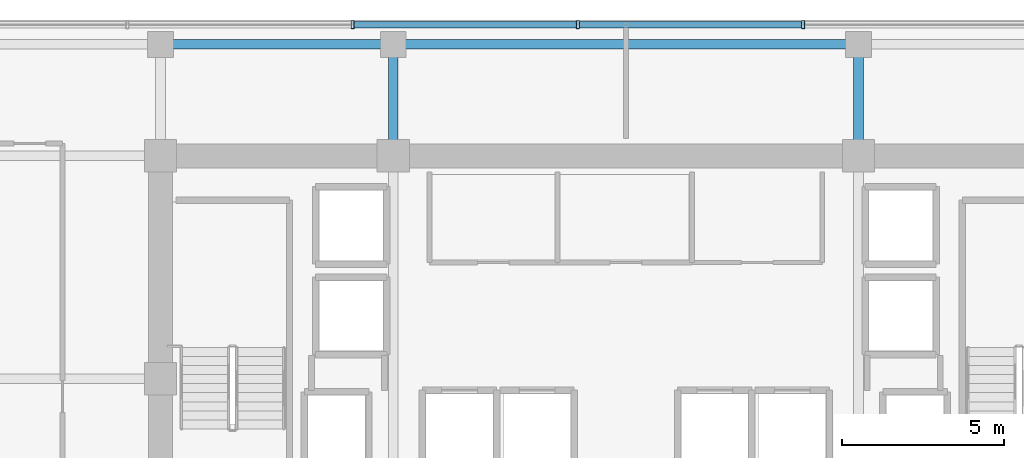
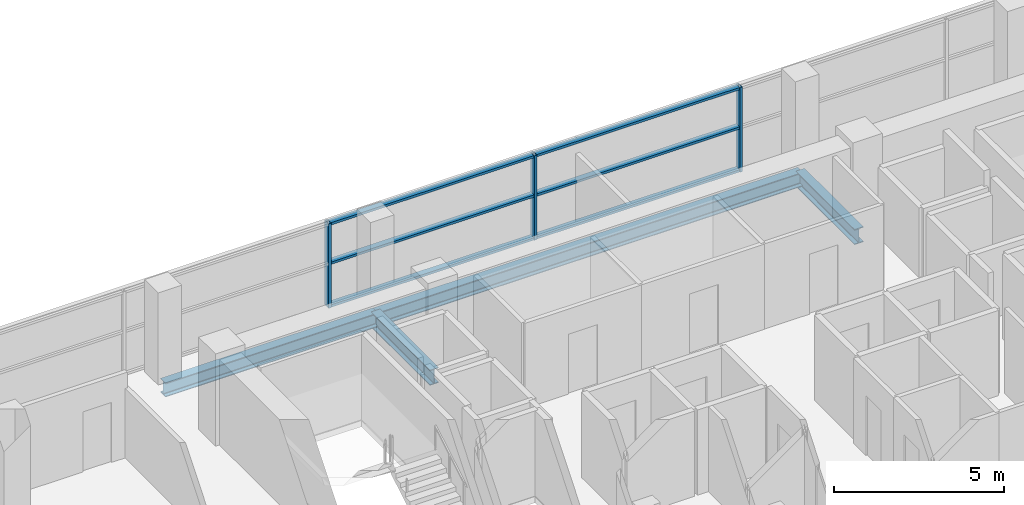
# One storey, part 11 of 22: 9 members, 4 beams, 1 element without a shape of its own.
"""IFC4 building model written with IfcOpenShell, lengths in metres."""

import ifcopenshell
import ifcopenshell.guid

model = None  # the IFC model being written
_history = None  # IfcOwnerHistory: only IFC2X3 demands one
_inside = {}  # id of a spatial element -> (the spatial element, [elements in it])
_under = {}  # id of a project, library or spatial element -> (it, [spatial elements below it])
_declared = {}  # id of a project -> (the project, [libraries it declares])
_typed = {}  # id of a type object -> (the type object, [elements of that type])
_made_of = {}  # id of a material, layer set ... -> (it, [elements and type objects made of it])


def new_model(schema):
    """Start an empty IFC model of exactly this schema.

    Asked for "IFC4X3", IfcOpenShell would pick the latest addendum, in which some entities
    have other attributes; the version numbers below select the first issue.
    IFC2X3 requires an IfcOwnerHistory on every rooted entity: one is made here for all.
    """
    global model, _history
    if schema == "IFC4X3":
        model = ifcopenshell.file(schema_version=(4, 3, 0, 0))
    else:
        model = ifcopenshell.file(schema=schema)
    _inside.clear()
    _under.clear()
    _declared.clear()
    _typed.clear()
    _made_of.clear()
    _history = None
    if model.schema == "IFC2X3":
        org = make("IfcOrganization", Name="unknown")
        user = make(
            "IfcPersonAndOrganization",
            ThePerson=make("IfcPerson", FamilyName="unknown"),
            TheOrganization=org,
        )
        app = make(
            "IfcApplication",
            ApplicationDeveloper=org,
            Version="unknown",
            ApplicationFullName="unknown",
            ApplicationIdentifier="unknown",
        )
        _history = make(
            "IfcOwnerHistory",
            OwningUser=user,
            OwningApplication=app,
            ChangeAction="ADDED",
            CreationDate=0,
        )
    return model


def make(cls, **values):
    """One entity of the class cls with the attributes given. An attribute that is None is left unset."""
    return model.create_entity(
        cls, **{name: value for name, value in values.items() if value is not None}
    )


def rooted(cls, **values):
    """An entity with a GlobalId (a new one), such as an element, a storey or a relation."""
    return make(cls, GlobalId=ifcopenshell.guid.new(), OwnerHistory=_history, **values)


def si_unit(unit_type, name, prefix=None):
    """IfcSIUnit, for example si_unit("LENGTHUNIT", "METRE", prefix="MILLI")."""
    return make("IfcSIUnit", UnitType=unit_type, Prefix=prefix, Name=name)


def assignment(units):
    """IfcUnitAssignment: the units of a project."""
    return None if units is None else make("IfcUnitAssignment", Units=units)


def point(xyz):
    """IfcCartesianPoint."""
    return None if xyz is None else make("IfcCartesianPoint", Coordinates=xyz)


def direction(xyz):
    """IfcDirection."""
    return None if xyz is None else make("IfcDirection", DirectionRatios=xyz)


def frame(location, z_axis=None, x_axis=None):
    """IfcAxis2Placement3D, a coordinate frame: its origin and axes. An axis left out is left unset."""
    return make(
        "IfcAxis2Placement3D",
        Location=point(location),
        Axis=direction(z_axis),
        RefDirection=direction(x_axis),
    )


def frame_2d(location, x_axis=None):
    """IfcAxis2Placement2D, a coordinate frame in the plane: its origin and x axis."""
    return make(
        "IfcAxis2Placement2D", Location=point(location), RefDirection=direction(x_axis)
    )


def origin():
    """The frame at (0, 0, 0) with its axes left unset."""
    return frame((0.0, 0.0, 0.0))


def origin_2d():
    """The frame at (0, 0) in the plane with its x axis left unset."""
    return frame_2d((0.0, 0.0))


def place(relative_to, where):
    """IfcLocalPlacement: puts the frame where relative to a parent placement (None: the world)."""
    return make(
        "IfcLocalPlacement", PlacementRelTo=relative_to, RelativePlacement=where
    )


def context(
    kind, dimensions, precision=None, world=None, true_north=None, identifier=None
):
    """IfcGeometricRepresentationContext, for example the 3D "Model" context."""
    return make(
        "IfcGeometricRepresentationContext",
        ContextIdentifier=identifier,
        ContextType=kind,
        CoordinateSpaceDimension=dimensions,
        Precision=precision,
        WorldCoordinateSystem=world,
        TrueNorth=true_north,
    )


def subcontext(parent, identifier, kind, view, scale=None):
    """IfcGeometricRepresentationSubContext, for example "Body" below "Model"."""
    return make(
        "IfcGeometricRepresentationSubContext",
        ContextIdentifier=identifier,
        ContextType=kind,
        ParentContext=parent,
        TargetScale=scale,
        TargetView=view,
    )


def project(units=None, contexts=None):
    """IfcProject with its units and contexts."""
    return rooted(
        "IfcProject",
        Name="project",
        RepresentationContexts=contexts,
        UnitsInContext=assignment(units),
    )


def spatial(cls, under=None, at=None, **own):
    """A site, building, storey or space (cls), placed at a placement, below another one or the project."""
    s = rooted(cls, ObjectPlacement=at, **own)
    if under is not None:
        _under.setdefault(under.id(), (under, []))[1].append(s)
    return s


def profile(cls, at=None, kind="AREA", **sizes):
    """A parametric profile (cls). Its sizes go by their IFC names, for example OverallWidth=200.0."""
    return make(cls, ProfileType=kind, Position=at, **sizes)


def hollow_rectangle(**sizes):
    """IfcRectangleHollowProfileDef."""
    return profile("IfcRectangleHollowProfileDef", **sizes)


def i_section(**sizes):
    """IfcIShapeProfileDef."""
    return profile("IfcIShapeProfileDef", **sizes)


def extrude(swept, where, along, depth):
    """IfcExtrudedAreaSolid: the profile swept, set in the frame where, extruded along a direction by depth."""
    return make(
        "IfcExtrudedAreaSolid",
        SweptArea=swept,
        Position=where,
        ExtrudedDirection=direction(along),
        Depth=depth,
    )


def shape(context_of_items, identifier, shape_type, items):
    """IfcShapeRepresentation: the items that make up one representation, for example the "Body"."""
    return make(
        "IfcShapeRepresentation",
        ContextOfItems=context_of_items,
        RepresentationIdentifier=identifier,
        RepresentationType=shape_type,
        Items=items,
    )


def source(mapping_origin, context_of_items, identifier, shape_type, items):
    """IfcRepresentationMap: a shape defined once, which mapped items show again and again."""
    return make(
        "IfcRepresentationMap",
        MappingOrigin=mapping_origin,
        MappedRepresentation=shape(context_of_items, identifier, shape_type, items),
    )


def transform(
    local_origin,
    x_axis=None,
    y_axis=None,
    z_axis=None,
    scale=None,
    scale2=None,
    scale3=None,
    uniform=True,
):
    """IfcCartesianTransformationOperator3D, or its non-uniform kind. x_axis, y_axis, z_axis: its Axis1, 2, 3."""
    if uniform:
        return make(
            "IfcCartesianTransformationOperator3D",
            Axis1=direction(x_axis),
            Axis2=direction(y_axis),
            LocalOrigin=point(local_origin),
            Scale=scale,
            Axis3=direction(z_axis),
        )
    return make(
        "IfcCartesianTransformationOperator3DnonUniform",
        Axis1=direction(x_axis),
        Axis2=direction(y_axis),
        LocalOrigin=point(local_origin),
        Scale=scale,
        Axis3=direction(z_axis),
        Scale2=scale2,
        Scale3=scale3,
    )


def mapped(mapping_source, mapping_target):
    """IfcMappedItem: shows the shape of a source again, moved by a transform."""
    return make(
        "IfcMappedItem", MappingSource=mapping_source, MappingTarget=mapping_target
    )


def material(Name=None, Category=None):
    """IfcMaterial."""
    return make("IfcMaterial", Name=Name, Category=Category)


def layer(
    of_material, thickness, ventilated=None, Name=None, Category=None, Priority=None
):
    """IfcMaterialLayer: one layer of a wall or slab, of a material (None: an air gap)."""
    return make(
        "IfcMaterialLayer",
        Material=of_material,
        LayerThickness=thickness,
        IsVentilated=ventilated,
        Name=Name,
        Category=Category,
        Priority=Priority,
    )


def layer_set(layers, Name=None):
    """IfcMaterialLayerSet."""
    return make("IfcMaterialLayerSet", MaterialLayers=layers, LayerSetName=Name)


def material_profile(
    of_material, cross_section, Name=None, Category=None, Priority=None
):
    """IfcMaterialProfile: a cross section and its material."""
    return make(
        "IfcMaterialProfile",
        Name=Name,
        Material=of_material,
        Profile=cross_section,
        Priority=Priority,
        Category=Category,
    )


def profile_set(profiles, Name=None, composite=None):
    """IfcMaterialProfileSet."""
    return make(
        "IfcMaterialProfileSet",
        Name=Name,
        MaterialProfiles=profiles,
        CompositeProfile=composite,
    )


def made_of(thing, what):
    """Note that an element or type object is made of a material, layer set ...; save() writes the relation."""
    if what is not None:
        _made_of.setdefault(what.id(), (what, []))[1].append(thing)
    return thing


def type_object(cls, material=None, **own):
    """A type object (cls), such as IfcWallType, which elements share."""
    return made_of(rooted(cls, **own), material)


def element(
    cls,
    number,
    at=None,
    inside=None,
    cuts=None,
    type_object=None,
    material=None,
    context=None,
    identifier="Body",
    shape_type=None,
    held_by="IfcProductDefinitionShape",
    body=None,
    shapes=None,
    **own,
):
    """One element of the class cls, such as IfcWall. Its Tag is "e" and its number.

    at: its placement. inside: the storey or other place that contains it. cuts: it is an
    opening in that element (IfcRelVoidsElement). A single representation is given by context,
    identifier, shape_type and body (its items); several are given by shapes. held_by: the class
    of the entity that holds the representations. save() writes the other relations.
    """
    e = rooted(cls, Tag="e%d" % number, ObjectPlacement=at, **own)
    if body is not None:
        shapes = [shape(context, identifier, shape_type, body)]
    if shapes is not None:
        e.Representation = make(held_by, Representations=shapes)
    if inside is not None:
        _inside.setdefault(inside.id(), (inside, []))[1].append(e)
    if cuts is not None:
        rooted(
            "IfcRelVoidsElement", RelatingBuildingElement=cuts, RelatedOpeningElement=e
        )
    if type_object is not None:
        _typed.setdefault(type_object.id(), (type_object, []))[1].append(e)
    return made_of(e, material)


def aggregate(whole, parts):
    """IfcRelAggregates: a whole, such as a stair, and the parts it consists of."""
    return rooted("IfcRelAggregates", RelatingObject=whole, RelatedObjects=parts)


def save(model, path):
    """Write the relations noted so far, then the file.

    IfcRelAggregates (storeys below a building ...), IfcRelContainedInSpatialStructure (elements
    in a storey), IfcRelDefinesByType, IfcRelAssociatesMaterial and IfcRelDeclares: one each for
    every whole, place, type object, material and project.
    """
    for whole, parts in _under.values():
        aggregate(whole, parts)
    for where, things in _inside.values():
        rooted(
            "IfcRelContainedInSpatialStructure",
            RelatedElements=things,
            RelatingStructure=where,
        )
    for kind, things in _typed.values():
        rooted("IfcRelDefinesByType", RelatedObjects=things, RelatingType=kind)
    for what, things in _made_of.values():
        rooted("IfcRelAssociatesMaterial", RelatedObjects=things, RelatingMaterial=what)
    for by, libraries in _declared.values():
        rooted("IfcRelDeclares", RelatingContext=by, RelatedDefinitions=libraries)
    model.write(path)


model = new_model("IFC4")

# Units and contexts
model_context = context("Model", 3, precision=1e-05, world=origin(), true_north=direction((0.0, 1.0)))
body_context = subcontext(model_context, "Body", "Model", "MODEL_VIEW")
ifc_project = project(units=[si_unit("LENGTHUNIT", "METRE"), si_unit("AREAUNIT", "SQUARE_METRE"), si_unit("VOLUMEUNIT", "CUBIC_METRE"), si_unit("PLANEANGLEUNIT", "RADIAN"), si_unit("MASSUNIT", "GRAM", prefix="KILO")], contexts=[model_context])

# Site, building, storey
site_placement = place(None, origin())
site = spatial("IfcSite", under=ifc_project, at=site_placement, CompositionType="ELEMENT")
building_placement = place(site_placement, origin())
building = spatial("IfcBuilding", under=site, at=building_placement, Name="Zarnakvel Exchange Tower", CompositionType="ELEMENT")
storey_placement = place(building_placement, frame((0.0, 0.0, 136.300048828125)))
storey = spatial("IfcBuildingStorey", under=building, at=storey_placement, Name="L38", CompositionType="ELEMENT", Elevation=136.300048828125)

# Beams
ifc_material_1 = material(Name="Steel S355", Category="steel")
ifc_material_profile_1 = material_profile(ifc_material_1, i_section(OverallWidth=0.300048828125, OverallDepth=0.550048828125, WebThickness=0.014892578125, FlangeThickness=0.029052734375, FilletRadius=0.027099609375, at=origin_2d()))
ifc_profile_set_1 = profile_set([ifc_material_profile_1], Name="Steel S355")
beam_type_1 = type_object("IfcBeamType", Name="G-05", PredefinedType="BEAM", material=ifc_profile_set_1)
for number, where, z_axis, x_axis, name in (
    (1, (-7.199951171875, 13.5, -0.5), (0.0, 1.0, 0.0), (-1.0, 0.0, 0.0), "L38 Tower N-S Frame Beam"),
    (2, (7.199951171875, 13.5, -0.5), (0.0, 1.0, 0.0), (-1.0, 0.0, 0.0), "L38 Tower N-S Frame Beam"),
):
    element("IfcBeam", number, at=place(storey_placement, frame(where, z_axis=z_axis, x_axis=x_axis)), inside=storey, type_object=beam_type_1, Name=name, PredefinedType="BEAM", context=body_context, shape_type="SweptSolid", body=[
        extrude(i_section(OverallWidth=0.300048828125, OverallDepth=0.550048828125, WebThickness=0.014892578125, FlangeThickness=0.029052734375, FilletRadius=0.027099609375, at=origin_2d()), origin(), (0.0, 0.0, 1.0), 3.449951171875),
    ])
ifc_material_profile_2 = material_profile(ifc_material_1, i_section(OverallWidth=0.300048828125, OverallDepth=0.5, WebThickness=0.014404296875, FlangeThickness=0.028076171875, FilletRadius=0.027099609375, at=origin_2d()))
ifc_profile_set_2 = profile_set([ifc_material_profile_2], Name="Steel S355")
beam_type_2 = type_object("IfcBeamType", Name="SP-02", PredefinedType="SPANDREL", material=ifc_profile_set_2)
beam_1_placement = place(storey_placement, frame((-14.39990234375, 16.949951171875, -0.47509765625), z_axis=(1.0, 0.0, 0.0), x_axis=(0.0, 1.0, 0.0)))
element("IfcBeam", 3, at=beam_1_placement, inside=storey, type_object=beam_type_2, Name="L38 Tower E-W Frame Beam", PredefinedType="SPANDREL", context=body_context, shape_type="SweptSolid", body=[
    extrude(i_section(OverallWidth=0.300048828125, OverallDepth=0.5, WebThickness=0.014404296875, FlangeThickness=0.028076171875, FilletRadius=0.027099609375, at=origin_2d()), origin(), (0.0, 0.0, 1.0), 7.199951171875),
])
beam_2_placement = place(storey_placement, frame((-7.199951171875, 16.949951171875, -0.47509765625), z_axis=(1.0, 0.0, 0.0), x_axis=(0.0, 1.0, 0.0)))
element("IfcBeam", 4, at=beam_2_placement, inside=storey, type_object=beam_type_2, Name="L38 Tower E-W Frame Beam", PredefinedType="SPANDREL", context=body_context, shape_type="SweptSolid", body=[
    extrude(i_section(OverallWidth=0.300048828125, OverallDepth=0.5, WebThickness=0.014404296875, FlangeThickness=0.028076171875, FilletRadius=0.027099609375, at=origin_2d()), origin(), (0.0, 0.0, 1.0), 14.39990234375),
])

# Curtain wall, members
ifc_material_2 = material(Name="Architectural Bronze Anodised Aluminium", Category="aluminium")
ifc_layer = layer(ifc_material_2, 0.239990234375)
ifc_layer_set = layer_set([ifc_layer], Name="Architectural Bronze Anodised Aluminium")
curtain_wall_type = type_object("IfcCurtainWallType", Name="CW-02", PredefinedType="NOTDEFINED", material=ifc_layer_set)
curtain_wall_placement = place(storey_placement, origin())
curtain_wall = element("IfcCurtainWall", 5, at=curtain_wall_placement, inside=storey, type_object=curtain_wall_type, Name="L38 Curtain Wall CW-L38-N1 (CW-02)", PredefinedType="NOTDEFINED")
ifc_material_profile_3 = material_profile(ifc_material_2, hollow_rectangle(XDim=0.239990234375, YDim=0.090087890625, WallThickness=0.006103515625, at=origin_2d()))
ifc_profile_set_3 = profile_set([ifc_material_profile_3], Name="Architectural Bronze Anodised Aluminium")
member_type_1 = type_object("IfcMemberType", Name="CWM-02", PredefinedType="MULLION", material=ifc_profile_set_3)
shared_shape_1 = source(origin(), body_context, "Body", "SweptSolid", [
    extrude(hollow_rectangle(XDim=0.239990234375, YDim=0.090087890625, WallThickness=0.006103515625, at=origin_2d()), origin(), (0.0, 0.0, 1.0), 3.030029296875),
])
member_1_placement = place(storey_placement, frame((-8.45703125, 17.56005859375, 0.0), z_axis=(0.0, 0.0, 1.0), x_axis=(0.0, 1.0, 0.0)))
member_1 = element("IfcMember", 6, at=member_1_placement, type_object=member_type_1, Name="CW-02 mullion 3", PredefinedType="MULLION", context=body_context, shape_type="MappedRepresentation", body=[
    mapped(shared_shape_1, transform((0.0, 0.0, 0.0), x_axis=(1.0, 0.0, 0.0), y_axis=(0.0, 1.0, 0.0), z_axis=(0.0, 0.0, 1.0), scale=1.0)),
])
member_2_placement = place(storey_placement, frame((-1.485595703125, 17.56005859375, 0.0), z_axis=(0.0, 0.0, 1.0), x_axis=(0.0, 1.0, 0.0)))
member_2 = element("IfcMember", 7, at=member_2_placement, type_object=member_type_1, Name="CW-02 mullion 4", PredefinedType="MULLION", context=body_context, shape_type="MappedRepresentation", body=[
    mapped(shared_shape_1, transform((0.0, 0.0, 0.0), x_axis=(1.0, 0.0, 0.0), y_axis=(0.0, 1.0, 0.0), z_axis=(0.0, 0.0, 1.0), scale=1.0)),
])
member_3_placement = place(storey_placement, frame((5.485595703125, 17.56005859375, 0.0), z_axis=(0.0, 0.0, 1.0), x_axis=(0.0, 1.0, 0.0)))
member_3 = element("IfcMember", 8, at=member_3_placement, type_object=member_type_1, Name="CW-02 mullion 5", PredefinedType="MULLION", context=body_context, shape_type="MappedRepresentation", body=[
    mapped(shared_shape_1, transform((0.0, 0.0, 0.0), x_axis=(1.0, 0.0, 0.0), y_axis=(0.0, 1.0, 0.0), z_axis=(0.0, 0.0, 1.0), scale=1.0)),
])
ifc_material_profile_4 = material_profile(ifc_material_2, hollow_rectangle(XDim=0.199951171875, YDim=0.0849609375, WallThickness=0.0048828125, at=origin_2d()))
ifc_profile_set_4 = profile_set([ifc_material_profile_4], Name="Architectural Bronze Anodised Aluminium")
member_type_2 = type_object("IfcMemberType", Name="CWT-02", PredefinedType="USERDEFINED", material=ifc_profile_set_4)
shared_shape_2 = source(origin(), body_context, "Body", "SweptSolid", [
    extrude(hollow_rectangle(XDim=0.199951171875, YDim=0.0849609375, WallThickness=0.0048828125, at=origin_2d()), origin(), (0.0, 0.0, 1.0), 6.88134765625),
])
member_4_placement = place(storey_placement, frame((-8.412109375, 17.56005859375, 0.04248046875), z_axis=(1.0, 0.0, 0.0), x_axis=(0.0, 1.0, 0.0)))
member_4 = element("IfcMember", 9, at=member_4_placement, type_object=member_type_2, Name="CW-02 transom 3.1", ObjectType="TRANSOM", PredefinedType="USERDEFINED", context=body_context, shape_type="MappedRepresentation", body=[
    mapped(shared_shape_2, transform((0.0, 0.0, 0.0), x_axis=(1.0, 0.0, 0.0), y_axis=(0.0, 1.0, 0.0), z_axis=(0.0, 0.0, 1.0), scale=1.0)),
])
member_5_placement = place(storey_placement, frame((-8.412109375, 17.56005859375, 1.575439453125), z_axis=(1.0, 0.0, 0.0), x_axis=(0.0, 1.0, 0.0)))
member_5 = element("IfcMember", 10, at=member_5_placement, type_object=member_type_2, Name="CW-02 transom 3.2", ObjectType="TRANSOM", PredefinedType="USERDEFINED", context=body_context, shape_type="MappedRepresentation", body=[
    mapped(shared_shape_2, transform((0.0, 0.0, 0.0), x_axis=(1.0, 0.0, 0.0), y_axis=(0.0, 1.0, 0.0), z_axis=(0.0, 0.0, 1.0), scale=1.0)),
])
member_6_placement = place(storey_placement, frame((-8.412109375, 17.56005859375, 2.987548828125), z_axis=(1.0, 0.0, 0.0), x_axis=(0.0, 1.0, 0.0)))
member_6 = element("IfcMember", 11, at=member_6_placement, type_object=member_type_2, Name="CW-02 transom 3.3", ObjectType="TRANSOM", PredefinedType="USERDEFINED", context=body_context, shape_type="MappedRepresentation", body=[
    mapped(shared_shape_2, transform((0.0, 0.0, 0.0), x_axis=(1.0, 0.0, 0.0), y_axis=(0.0, 1.0, 0.0), z_axis=(0.0, 0.0, 1.0), scale=1.0)),
])
member_7_placement = place(storey_placement, frame((-1.440673828125, 17.56005859375, 0.04248046875), z_axis=(1.0, 0.0, 0.0), x_axis=(0.0, 1.0, 0.0)))
member_7 = element("IfcMember", 12, at=member_7_placement, type_object=member_type_2, Name="CW-02 transom 4.1", ObjectType="TRANSOM", PredefinedType="USERDEFINED", context=body_context, shape_type="MappedRepresentation", body=[
    mapped(shared_shape_2, transform((0.0, 0.0, 0.0), x_axis=(1.0, 0.0, 0.0), y_axis=(0.0, 1.0, 0.0), z_axis=(0.0, 0.0, 1.0), scale=1.0)),
])
member_8_placement = place(storey_placement, frame((-1.440673828125, 17.56005859375, 1.575439453125), z_axis=(1.0, 0.0, 0.0), x_axis=(0.0, 1.0, 0.0)))
member_8 = element("IfcMember", 13, at=member_8_placement, type_object=member_type_2, Name="CW-02 transom 4.2", ObjectType="TRANSOM", PredefinedType="USERDEFINED", context=body_context, shape_type="MappedRepresentation", body=[
    mapped(shared_shape_2, transform((0.0, 0.0, 0.0), x_axis=(1.0, 0.0, 0.0), y_axis=(0.0, 1.0, 0.0), z_axis=(0.0, 0.0, 1.0), scale=1.0)),
])
member_9_placement = place(storey_placement, frame((-1.440673828125, 17.56005859375, 2.987548828125), z_axis=(1.0, 0.0, 0.0), x_axis=(0.0, 1.0, 0.0)))
member_9 = element("IfcMember", 14, at=member_9_placement, type_object=member_type_2, Name="CW-02 transom 4.3", ObjectType="TRANSOM", PredefinedType="USERDEFINED", context=body_context, shape_type="MappedRepresentation", body=[
    mapped(shared_shape_2, transform((0.0, 0.0, 0.0), x_axis=(1.0, 0.0, 0.0), y_axis=(0.0, 1.0, 0.0), z_axis=(0.0, 0.0, 1.0), scale=1.0)),
])
aggregate(curtain_wall, [member_1, member_2, member_3, member_4, member_5, member_6, member_7, member_8, member_9])

save(model, "model.ifc")
